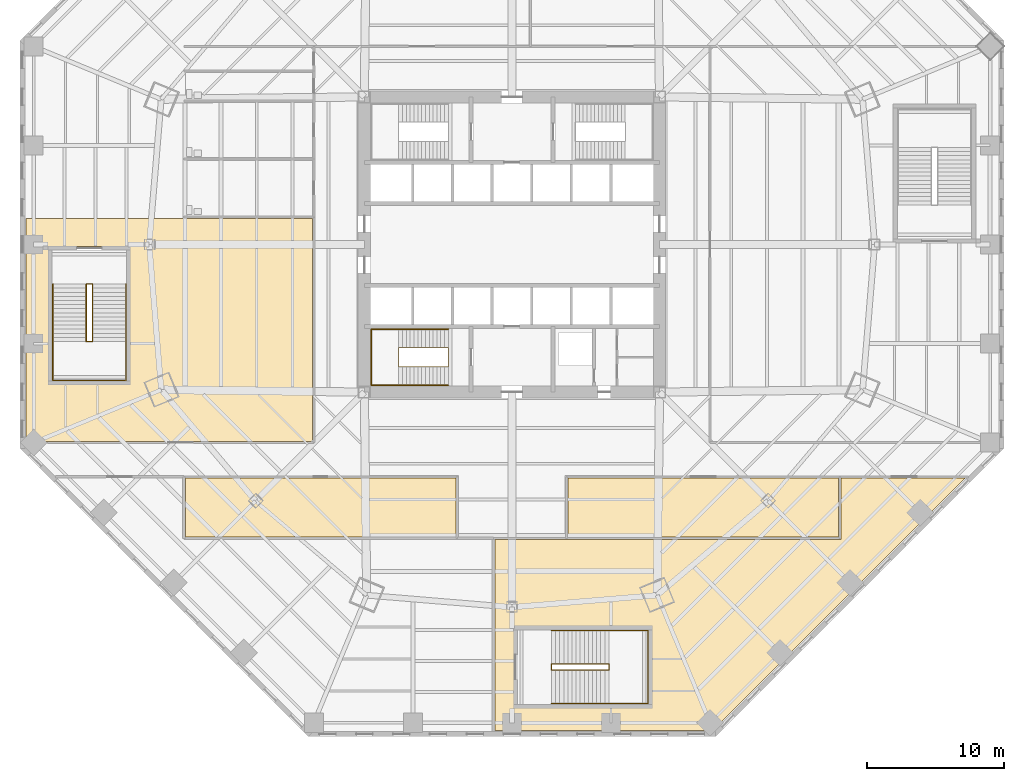
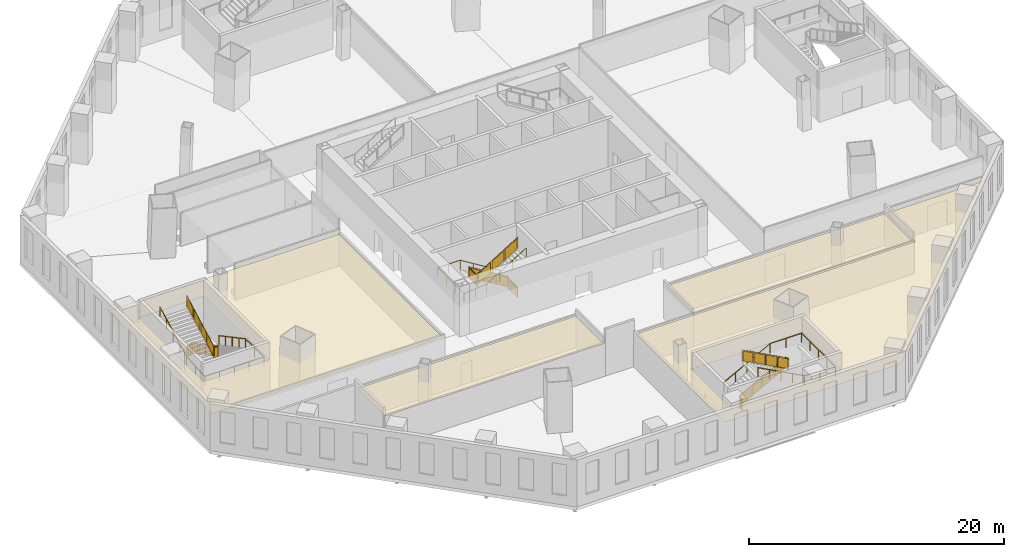
# One storey, part 16 of 19: 6 railings, 4 coverings.
"""IFC4 building model written with IfcOpenShell, lengths in metres."""

from ifc_helpers import new_model, si_unit, direction, frame, origin, origin_2d, place, context, subcontext, project, spatial, polyline, circle, outline, extrude, material, layer, layer_set, type_object, element, save


model = new_model("IFC4")

# Units and contexts
model_context = context("Model", 3, precision=1e-05, world=origin(), true_north=direction((0.0, 1.0)))
body_context = subcontext(model_context, "Body", "Model", "MODEL_VIEW")
ifc_project = project(units=[si_unit("LENGTHUNIT", "METRE"), si_unit("AREAUNIT", "SQUARE_METRE"), si_unit("VOLUMEUNIT", "CUBIC_METRE"), si_unit("PLANEANGLEUNIT", "RADIAN"), si_unit("MASSUNIT", "GRAM", prefix="KILO")], contexts=[model_context])

# Site, building, storey
site_placement = place(None, origin())
site = spatial("IfcSite", under=ifc_project, at=site_placement, CompositionType="ELEMENT")
building_placement = place(site_placement, origin())
building = spatial("IfcBuilding", under=site, at=building_placement, Name="Mashrafa Tower", CompositionType="ELEMENT")
storey_placement = place(building_placement, frame((0.0, 0.0, 24.0)))
storey = spatial("IfcBuildingStorey", under=building, at=storey_placement, Name="L04", CompositionType="ELEMENT", Elevation=24.0)

# Railings
ifc_material_1 = material(Name="Steel guard with glass infill", Category="steel")
railing_type_1 = type_object("IfcRailingType", Name="Stair guard 1100", PredefinedType="GUARDRAIL", material=ifc_material_1)
railing_1_placement = place(storey_placement, frame((-4.64990234375, -8.949951171875, 0.0)))
element("IfcRailing", 1, at=railing_1_placement, inside=storey, type_object=railing_type_1, Name="Stair S3 guard L04", PredefinedType="GUARDRAIL", context=body_context, shape_type="SweptSolid", body=[
    extrude(circle(Radius=0.02392578125, at=origin_2d()), frame((0.0, 0.0, 1.076171875), z_axis=(0.0, 1.0, 0.0), x_axis=(-1.0, 0.0, 0.0)), (0.0, 0.0, 1.0), 1.39990234375),
    extrude(circle(Radius=0.02392578125, at=origin_2d()), frame((0.0, 1.39990234375, 1.076171875), z_axis=(0.0, 0.0, 1.0), x_axis=(1.0, 0.0, 0.0)), (0.0, 0.0, 1.0), 0.17138671875),
    extrude(circle(Radius=0.02392578125, at=origin_2d()), frame((0.0, 1.39990234375, 1.24755859375), z_axis=(-0.852865859571, 0.0, 0.52213008492), x_axis=(0.0, -1.0, 0.0)), (0.0, 0.0, 1.0), 4.26806640625),
    extrude(circle(Radius=0.02392578125, at=origin_2d()), frame((-3.64013671875, 1.39990234375, 3.47607421875), z_axis=(0.0, -1.0, 0.0), x_axis=(1.0, 0.0, 0.0)), (0.0, 0.0, 1.0), 1.39990234375),
    extrude(circle(Radius=0.02392578125, at=origin_2d()), frame((-3.64013671875, 0.0, 3.47607421875), z_axis=(0.0, 0.0, 1.0), x_axis=(1.0, 0.0, 0.0)), (0.0, 0.0, 1.0), 0.17138671875),
    extrude(circle(Radius=0.02392578125, at=origin_2d()), frame((-3.64013671875, 0.0, 3.6474609375), z_axis=(0.852840387347, 0.0, 0.522171689878), x_axis=(0.0, 1.0, 0.0)), (0.0, 0.0, 1.0), 4.268310546875),
    extrude(circle(Radius=0.02099609375, at=origin_2d()), origin(), (0.0, 0.0, 1.0), 1.052001953125),
    extrude(circle(Radius=0.02099609375, at=origin_2d()), frame((0.0, 1.39990234375, 0.0)), (0.0, 0.0, 1.0), 1.052001953125),
    extrude(circle(Radius=0.02099609375, at=origin_2d()), frame((0.0, 1.39990234375, 0.17138671875)), (0.0, 0.0, 1.0), 1.052001953125),
    extrude(circle(Radius=0.02099609375, at=origin_2d()), frame((-1.21337890625, 1.39990234375, 0.914306640625)), (0.0, 0.0, 1.0), 1.052001953125),
    extrude(circle(Radius=0.02099609375, at=origin_2d()), frame((-2.4267578125, 1.39990234375, 1.656982421875)), (0.0, 0.0, 1.0), 1.052001953125),
    extrude(circle(Radius=0.02099609375, at=origin_2d()), frame((-3.64013671875, 1.39990234375, 2.39990234375)), (0.0, 0.0, 1.0), 1.052001953125),
    extrude(circle(Radius=0.02099609375, at=origin_2d()), frame((-3.64013671875, 0.0, 2.39990234375)), (0.0, 0.0, 1.0), 1.052001953125),
    extrude(circle(Radius=0.02099609375, at=origin_2d()), frame((-3.64013671875, 0.0, 2.5712890625)), (0.0, 0.0, 1.0), 1.052001953125),
    extrude(circle(Radius=0.02099609375, at=origin_2d()), frame((-2.4267578125, 0.0, 3.314208984375)), (0.0, 0.0, 1.0), 1.052001953125),
    extrude(circle(Radius=0.02099609375, at=origin_2d()), frame((-1.21337890625, 0.0, 4.05712890625)), (0.0, 0.0, 1.0), 1.052001953125),
    extrude(circle(Radius=0.02099609375, at=origin_2d()), frame((0.0, 0.0, 4.800048828125)), (0.0, 0.0, 1.0), 1.052001953125),
    extrude(outline(polyline([(0.071044921875, 0.050048828125), (1.328857421875, 0.050048828125), (1.328857421875, 1.001953125), (0.071044921875, 1.001953125), (0.071044921875, 0.050048828125)])), frame((0.006103515625, 0.0, 0.0), z_axis=(1.0, 0.0, 0.0), x_axis=(0.0, 1.0, 0.0)), (0.0, 0.0, 1.0), 0.011962890625),
    extrude(outline(polyline([(0.071044921875, 0.093505859375), (1.142333984375, 0.749267578125), (1.142333984375, 1.701416015625), (0.071044921875, 1.04541015625), (0.071044921875, 0.093505859375)])), frame((0.0, 1.406005859375, 0.17138671875), z_axis=(0.0, 1.0, 0.0), x_axis=(-1.0, 0.0, 0.0)), (0.0, 0.0, 1.0), 0.011962890625),
    extrude(outline(polyline([(1.284423828125, 0.836181640625), (2.355712890625, 1.4921875), (2.355712890625, 2.4443359375), (1.284423828125, 1.788330078125), (1.284423828125, 0.836181640625)])), frame((0.0, 1.406005859375, 0.17138671875), z_axis=(0.0, 1.0, 0.0), x_axis=(-1.0, 0.0, 0.0)), (0.0, 0.0, 1.0), 0.011962890625),
    extrude(outline(polyline([(2.497802734375, 1.5791015625), (3.569091796875, 2.235107421875), (3.569091796875, 3.18701171875), (2.497802734375, 2.53125), (2.497802734375, 1.5791015625)])), frame((0.0, 1.406005859375, 0.17138671875), z_axis=(0.0, 1.0, 0.0), x_axis=(-1.0, 0.0, 0.0)), (0.0, 0.0, 1.0), 0.011962890625),
    extrude(outline(polyline([(0.071044921875, 0.050048828125), (1.328857421875, 0.050048828125), (1.328857421875, 1.001953125), (0.071044921875, 1.001953125), (0.071044921875, 0.050048828125)])), frame((-3.646240234375, 1.39990234375, 2.39990234375), z_axis=(-1.0, 0.0, 0.0), x_axis=(0.0, -1.0, 0.0)), (0.0, 0.0, 1.0), 0.011962890625),
    extrude(outline(polyline([(0.071044921875, 0.093505859375), (1.142333984375, 0.74951171875), (1.142333984375, 1.701416015625), (0.071044921875, 1.04541015625), (0.071044921875, 0.093505859375)])), frame((-3.64013671875, -0.006103515625, 2.5712890625), z_axis=(0.0, -1.0, 0.0), x_axis=(1.0, 0.0, 0.0)), (0.0, 0.0, 1.0), 0.011962890625),
    extrude(outline(polyline([(1.284423828125, 0.83642578125), (2.355712890625, 1.492431640625), (2.355712890625, 2.4443359375), (1.284423828125, 1.788330078125), (1.284423828125, 0.83642578125)])), frame((-3.64013671875, -0.006103515625, 2.5712890625), z_axis=(0.0, -1.0, 0.0), x_axis=(1.0, 0.0, 0.0)), (0.0, 0.0, 1.0), 0.011962890625),
    extrude(outline(polyline([(2.497802734375, 1.579345703125), (3.569091796875, 2.2353515625), (3.569091796875, 3.187255859375), (2.497802734375, 2.53125), (2.497802734375, 1.579345703125)])), frame((-3.64013671875, -0.006103515625, 2.5712890625), z_axis=(0.0, -1.0, 0.0), x_axis=(1.0, 0.0, 0.0)), (0.0, 0.0, 1.0), 0.011962890625),
])
railing_2_placement = place(storey_placement, frame((-31.14990234375, -2.89990234375, 0.0)))
element("IfcRailing", 2, at=railing_2_placement, inside=storey, type_object=railing_type_1, Name="Stair P3 guard L04", PredefinedType="GUARDRAIL", context=body_context, shape_type="SweptSolid", body=[
    extrude(circle(Radius=0.02392578125, at=origin_2d()), frame((0.0, 0.0, 1.076171875), z_axis=(1.0, 0.0, 0.0), x_axis=(0.0, 1.0, 0.0)), (0.0, 0.0, 1.0), 0.449951171875),
    extrude(circle(Radius=0.02392578125, at=origin_2d()), frame((0.449951171875, 0.0, 1.076171875), z_axis=(0.0, 0.0, 1.0), x_axis=(1.0, 0.0, 0.0)), (0.0, 0.0, 1.0), 0.159912109375),
    extrude(circle(Radius=0.02392578125, at=origin_2d()), frame((0.449951171875, 0.0, 1.23583984375), z_axis=(0.0, -0.882362879185, 0.470569601054), x_axis=(1.0, 0.0, 0.0)), (0.0, 0.0, 1.0), 4.76025390625),
    extrude(circle(Radius=0.02392578125, at=origin_2d()), frame((0.449951171875, -4.2001953125, 3.47607421875), z_axis=(-1.0, 0.0, 0.0), x_axis=(0.0, -1.0, 0.0)), (0.0, 0.0, 1.0), 0.449951171875),
    extrude(circle(Radius=0.02392578125, at=origin_2d()), frame((0.0, -4.2001953125, 3.47607421875), z_axis=(0.0, 0.0, 1.0), x_axis=(1.0, 0.0, 0.0)), (0.0, 0.0, 1.0), 0.16015625),
    extrude(circle(Radius=0.02392578125, at=origin_2d()), frame((0.0, -4.2001953125, 3.63623046875), z_axis=(0.0, 0.882362879185, 0.470569601054), x_axis=(-1.0, 0.0, 0.0)), (0.0, 0.0, 1.0), 4.76025390625),
    extrude(circle(Radius=0.02099609375, at=origin_2d()), origin(), (0.0, 0.0, 1.0), 1.052001953125),
    extrude(circle(Radius=0.02099609375, at=origin_2d()), frame((0.449951171875, 0.0, 0.0)), (0.0, 0.0, 1.0), 1.052001953125),
    extrude(circle(Radius=0.02099609375, at=origin_2d()), frame((0.449951171875, 0.0, 0.159912109375)), (0.0, 0.0, 1.0), 1.052001953125),
    extrude(circle(Radius=0.02099609375, at=origin_2d()), frame((0.449951171875, -1.050048828125, 0.719970703125)), (0.0, 0.0, 1.0), 1.052001953125),
    extrude(circle(Radius=0.02099609375, at=origin_2d()), frame((0.449951171875, -2.10009765625, 1.27978515625)), (0.0, 0.0, 1.0), 1.052001953125),
    extrude(circle(Radius=0.02099609375, at=origin_2d()), frame((0.449951171875, -3.150146484375, 1.83984375)), (0.0, 0.0, 1.0), 1.052001953125),
    extrude(circle(Radius=0.02099609375, at=origin_2d()), frame((0.449951171875, -4.2001953125, 2.39990234375)), (0.0, 0.0, 1.0), 1.052001953125),
    extrude(circle(Radius=0.02099609375, at=origin_2d()), frame((0.0, -4.2001953125, 2.39990234375)), (0.0, 0.0, 1.0), 1.052001953125),
    extrude(circle(Radius=0.02099609375, at=origin_2d()), frame((0.0, -4.2001953125, 2.56005859375)), (0.0, 0.0, 1.0), 1.052001953125),
    extrude(circle(Radius=0.02099609375, at=origin_2d()), frame((0.0, -3.150146484375, 3.1201171875)), (0.0, 0.0, 1.0), 1.052001953125),
    extrude(circle(Radius=0.02099609375, at=origin_2d()), frame((0.0, -2.10009765625, 3.68017578125)), (0.0, 0.0, 1.0), 1.052001953125),
    extrude(circle(Radius=0.02099609375, at=origin_2d()), frame((0.0, -1.050048828125, 4.239990234375)), (0.0, 0.0, 1.0), 1.052001953125),
    extrude(circle(Radius=0.02099609375, at=origin_2d()), frame((0.0, 0.0, 4.800048828125)), (0.0, 0.0, 1.0), 1.052001953125),
    extrude(outline(polyline([(0.071044921875, 0.050048828125), (0.37890625, 0.050048828125), (0.37890625, 1.001953125), (0.071044921875, 1.001953125), (0.071044921875, 0.050048828125)])), frame((0.0, -0.006103515625, 0.0), z_axis=(0.0, -1.0, 0.0), x_axis=(1.0, 0.0, 0.0)), (0.0, 0.0, 1.0), 0.011962890625),
    extrude(outline(polyline([(0.071044921875, 0.087890625), (0.97900390625, 0.572021484375), (0.97900390625, 1.524169921875), (0.071044921875, 1.039794921875), (0.071044921875, 0.087890625)])), frame((0.44384765625, 0.0, 0.159912109375), z_axis=(-1.0, 0.0, 0.0), x_axis=(0.0, -1.0, 0.0)), (0.0, 0.0, 1.0), 0.011962890625),
    extrude(outline(polyline([(1.12109375, 0.64794921875), (2.029052734375, 1.132080078125), (2.029052734375, 2.084228515625), (1.12109375, 1.599853515625), (1.12109375, 0.64794921875)])), frame((0.44384765625, 0.0, 0.159912109375), z_axis=(-1.0, 0.0, 0.0), x_axis=(0.0, -1.0, 0.0)), (0.0, 0.0, 1.0), 0.011962890625),
    extrude(outline(polyline([(2.171142578125, 1.207763671875), (3.0791015625, 1.692138671875), (3.0791015625, 2.64404296875), (2.171142578125, 2.159912109375), (2.171142578125, 1.207763671875)])), frame((0.44384765625, 0.0, 0.159912109375), z_axis=(-1.0, 0.0, 0.0), x_axis=(0.0, -1.0, 0.0)), (0.0, 0.0, 1.0), 0.011962890625),
    extrude(outline(polyline([(3.22119140625, 1.767822265625), (4.129150390625, 2.252197265625), (4.129150390625, 3.2041015625), (3.22119140625, 2.719970703125), (3.22119140625, 1.767822265625)])), frame((0.44384765625, 0.0, 0.159912109375), z_axis=(-1.0, 0.0, 0.0), x_axis=(0.0, -1.0, 0.0)), (0.0, 0.0, 1.0), 0.011962890625),
    extrude(outline(polyline([(0.071044921875, 0.050048828125), (0.37890625, 0.050048828125), (0.37890625, 1.001953125), (0.071044921875, 1.001953125), (0.071044921875, 0.050048828125)])), frame((0.449951171875, -4.194091796875, 2.39990234375), z_axis=(0.0, 1.0, 0.0), x_axis=(-1.0, 0.0, 0.0)), (0.0, 0.0, 1.0), 0.011962890625),
    extrude(outline(polyline([(0.071044921875, 0.087890625), (0.97900390625, 0.572021484375), (0.97900390625, 1.524169921875), (0.071044921875, 1.039794921875), (0.071044921875, 0.087890625)])), frame((0.006103515625, -4.2001953125, 2.56005859375), z_axis=(1.0, 0.0, 0.0), x_axis=(0.0, 1.0, 0.0)), (0.0, 0.0, 1.0), 0.011962890625),
    extrude(outline(polyline([(1.12109375, 0.64794921875), (2.029052734375, 1.132080078125), (2.029052734375, 2.084228515625), (1.12109375, 1.599853515625), (1.12109375, 0.64794921875)])), frame((0.006103515625, -4.2001953125, 2.56005859375), z_axis=(1.0, 0.0, 0.0), x_axis=(0.0, 1.0, 0.0)), (0.0, 0.0, 1.0), 0.011962890625),
    extrude(outline(polyline([(2.171142578125, 1.207763671875), (3.0791015625, 1.692138671875), (3.0791015625, 2.64404296875), (2.171142578125, 2.159912109375), (2.171142578125, 1.207763671875)])), frame((0.006103515625, -4.2001953125, 2.56005859375), z_axis=(1.0, 0.0, 0.0), x_axis=(0.0, 1.0, 0.0)), (0.0, 0.0, 1.0), 0.011962890625),
    extrude(outline(polyline([(3.22119140625, 1.767822265625), (4.129150390625, 2.252197265625), (4.129150390625, 3.2041015625), (3.22119140625, 2.719970703125), (3.22119140625, 1.767822265625)])), frame((0.006103515625, -4.2001953125, 2.56005859375), z_axis=(1.0, 0.0, 0.0), x_axis=(0.0, 1.0, 0.0)), (0.0, 0.0, 1.0), 0.011962890625),
])
railing_3_placement = place(storey_placement, frame((2.89990234375, -31.14990234375, 0.0)))
element("IfcRailing", 3, at=railing_3_placement, inside=storey, type_object=railing_type_1, Name="Stair P4 guard L04", PredefinedType="GUARDRAIL", context=body_context, shape_type="SweptSolid", body=[
    extrude(circle(Radius=0.02392578125, at=origin_2d()), frame((0.0, 0.0, 1.076171875), z_axis=(0.0, 1.0, 0.0), x_axis=(-1.0, 0.0, 0.0)), (0.0, 0.0, 1.0), 0.449951171875),
    extrude(circle(Radius=0.02392578125, at=origin_2d()), frame((0.0, 0.449951171875, 1.076171875), z_axis=(0.0, 0.0, 1.0), x_axis=(1.0, 0.0, 0.0)), (0.0, 0.0, 1.0), 0.159912109375),
    extrude(circle(Radius=0.02392578125, at=origin_2d()), frame((0.0, 0.449951171875, 1.23583984375), z_axis=(0.882362879185, 0.0, 0.470569601054), x_axis=(0.0, 1.0, 0.0)), (0.0, 0.0, 1.0), 4.76025390625),
    extrude(circle(Radius=0.02392578125, at=origin_2d()), frame((4.2001953125, 0.449951171875, 3.47607421875), z_axis=(0.0, -1.0, 0.0), x_axis=(1.0, 0.0, 0.0)), (0.0, 0.0, 1.0), 0.449951171875),
    extrude(circle(Radius=0.02392578125, at=origin_2d()), frame((4.2001953125, 0.0, 3.47607421875), z_axis=(0.0, 0.0, 1.0), x_axis=(1.0, 0.0, 0.0)), (0.0, 0.0, 1.0), 0.16015625),
    extrude(circle(Radius=0.02392578125, at=origin_2d()), frame((4.2001953125, 0.0, 3.63623046875), z_axis=(-0.882362879185, 0.0, 0.470569601054), x_axis=(0.0, -1.0, 0.0)), (0.0, 0.0, 1.0), 4.76025390625),
    extrude(circle(Radius=0.02099609375, at=origin_2d()), origin(), (0.0, 0.0, 1.0), 1.052001953125),
    extrude(circle(Radius=0.02099609375, at=origin_2d()), frame((0.0, 0.449951171875, 0.0)), (0.0, 0.0, 1.0), 1.052001953125),
    extrude(circle(Radius=0.02099609375, at=origin_2d()), frame((0.0, 0.449951171875, 0.159912109375)), (0.0, 0.0, 1.0), 1.052001953125),
    extrude(circle(Radius=0.02099609375, at=origin_2d()), frame((1.050048828125, 0.449951171875, 0.719970703125)), (0.0, 0.0, 1.0), 1.052001953125),
    extrude(circle(Radius=0.02099609375, at=origin_2d()), frame((2.10009765625, 0.449951171875, 1.27978515625)), (0.0, 0.0, 1.0), 1.052001953125),
    extrude(circle(Radius=0.02099609375, at=origin_2d()), frame((3.150146484375, 0.449951171875, 1.83984375)), (0.0, 0.0, 1.0), 1.052001953125),
    extrude(circle(Radius=0.02099609375, at=origin_2d()), frame((4.2001953125, 0.449951171875, 2.39990234375)), (0.0, 0.0, 1.0), 1.052001953125),
    extrude(circle(Radius=0.02099609375, at=origin_2d()), frame((4.2001953125, 0.0, 2.39990234375)), (0.0, 0.0, 1.0), 1.052001953125),
    extrude(circle(Radius=0.02099609375, at=origin_2d()), frame((4.2001953125, 0.0, 2.56005859375)), (0.0, 0.0, 1.0), 1.052001953125),
    extrude(circle(Radius=0.02099609375, at=origin_2d()), frame((3.150146484375, 0.0, 3.1201171875)), (0.0, 0.0, 1.0), 1.052001953125),
    extrude(circle(Radius=0.02099609375, at=origin_2d()), frame((2.10009765625, 0.0, 3.68017578125)), (0.0, 0.0, 1.0), 1.052001953125),
    extrude(circle(Radius=0.02099609375, at=origin_2d()), frame((1.050048828125, 0.0, 4.239990234375)), (0.0, 0.0, 1.0), 1.052001953125),
    extrude(circle(Radius=0.02099609375, at=origin_2d()), frame((0.0, 0.0, 4.800048828125)), (0.0, 0.0, 1.0), 1.052001953125),
    extrude(outline(polyline([(0.071044921875, 0.050048828125), (0.37890625, 0.050048828125), (0.37890625, 1.001953125), (0.071044921875, 1.001953125), (0.071044921875, 0.050048828125)])), frame((0.006103515625, 0.0, 0.0), z_axis=(1.0, 0.0, 0.0), x_axis=(0.0, 1.0, 0.0)), (0.0, 0.0, 1.0), 0.011962890625),
    extrude(outline(polyline([(0.071044921875, 0.087890625), (0.97900390625, 0.572021484375), (0.97900390625, 1.524169921875), (0.071044921875, 1.039794921875), (0.071044921875, 0.087890625)])), frame((0.0, 0.44384765625, 0.159912109375), z_axis=(0.0, -1.0, 0.0), x_axis=(1.0, 0.0, 0.0)), (0.0, 0.0, 1.0), 0.011962890625),
    extrude(outline(polyline([(1.12109375, 0.64794921875), (2.029052734375, 1.132080078125), (2.029052734375, 2.084228515625), (1.12109375, 1.599853515625), (1.12109375, 0.64794921875)])), frame((0.0, 0.44384765625, 0.159912109375), z_axis=(0.0, -1.0, 0.0), x_axis=(1.0, 0.0, 0.0)), (0.0, 0.0, 1.0), 0.011962890625),
    extrude(outline(polyline([(2.171142578125, 1.207763671875), (3.0791015625, 1.692138671875), (3.0791015625, 2.64404296875), (2.171142578125, 2.159912109375), (2.171142578125, 1.207763671875)])), frame((0.0, 0.44384765625, 0.159912109375), z_axis=(0.0, -1.0, 0.0), x_axis=(1.0, 0.0, 0.0)), (0.0, 0.0, 1.0), 0.011962890625),
    extrude(outline(polyline([(3.22119140625, 1.767822265625), (4.129150390625, 2.252197265625), (4.129150390625, 3.2041015625), (3.22119140625, 2.719970703125), (3.22119140625, 1.767822265625)])), frame((0.0, 0.44384765625, 0.159912109375), z_axis=(0.0, -1.0, 0.0), x_axis=(1.0, 0.0, 0.0)), (0.0, 0.0, 1.0), 0.011962890625),
    extrude(outline(polyline([(0.071044921875, 0.050048828125), (0.37890625, 0.050048828125), (0.37890625, 1.001953125), (0.071044921875, 1.001953125), (0.071044921875, 0.050048828125)])), frame((4.194091796875, 0.449951171875, 2.39990234375), z_axis=(-1.0, 0.0, 0.0), x_axis=(0.0, -1.0, 0.0)), (0.0, 0.0, 1.0), 0.011962890625),
    extrude(outline(polyline([(0.071044921875, 0.087890625), (0.97900390625, 0.572021484375), (0.97900390625, 1.524169921875), (0.071044921875, 1.039794921875), (0.071044921875, 0.087890625)])), frame((4.2001953125, 0.006103515625, 2.56005859375), z_axis=(0.0, 1.0, 0.0), x_axis=(-1.0, 0.0, 0.0)), (0.0, 0.0, 1.0), 0.011962890625),
    extrude(outline(polyline([(1.12109375, 0.64794921875), (2.029052734375, 1.132080078125), (2.029052734375, 2.084228515625), (1.12109375, 1.599853515625), (1.12109375, 0.64794921875)])), frame((4.2001953125, 0.006103515625, 2.56005859375), z_axis=(0.0, 1.0, 0.0), x_axis=(-1.0, 0.0, 0.0)), (0.0, 0.0, 1.0), 0.011962890625),
    extrude(outline(polyline([(2.171142578125, 1.207763671875), (3.0791015625, 1.692138671875), (3.0791015625, 2.64404296875), (2.171142578125, 2.159912109375), (2.171142578125, 1.207763671875)])), frame((4.2001953125, 0.006103515625, 2.56005859375), z_axis=(0.0, 1.0, 0.0), x_axis=(-1.0, 0.0, 0.0)), (0.0, 0.0, 1.0), 0.011962890625),
    extrude(outline(polyline([(3.22119140625, 1.767822265625), (4.129150390625, 2.252197265625), (4.129150390625, 3.2041015625), (3.22119140625, 2.719970703125), (3.22119140625, 1.767822265625)])), frame((4.2001953125, 0.006103515625, 2.56005859375), z_axis=(0.0, 1.0, 0.0), x_axis=(-1.0, 0.0, 0.0)), (0.0, 0.0, 1.0), 0.011962890625),
])
ifc_material_2 = material(Name="Steel", Category="steel")
railing_type_2 = type_object("IfcRailingType", Name="Stair handrail 900", PredefinedType="HANDRAIL", material=ifc_material_2)
railing_4_placement = place(storey_placement, frame((-4.64990234375, -6.199951171875, 0.17138671875)))
element("IfcRailing", 4, at=railing_4_placement, inside=storey, type_object=railing_type_2, Name="Stair S3 handrail L04", PredefinedType="HANDRAIL", context=body_context, shape_type="SweptSolid", body=[
    extrude(circle(Radius=0.02392578125, at=origin_2d()), frame((0.0, 0.0, 0.8759765625), z_axis=(-0.852865859571, 0.0, 0.52213008492), x_axis=(0.0, -1.0, 0.0)), (0.0, 0.0, 1.0), 4.26806640625),
    extrude(circle(Radius=0.02392578125, at=origin_2d()), frame((-3.64013671875, 0.0, 3.1044921875), z_axis=(-1.0, 0.0, 0.0), x_axis=(0.0, -1.0, 0.0)), (0.0, 0.0, 1.0), 2.010009765625),
    extrude(circle(Radius=0.02392578125, at=origin_2d()), frame((-5.650146484375, 0.0, 3.1044921875), z_axis=(0.0, -1.0, 0.0), x_axis=(1.0, 0.0, 0.0)), (0.0, 0.0, 1.0), 4.10009765625),
    extrude(circle(Radius=0.02392578125, at=origin_2d()), frame((-5.650146484375, -4.10009765625, 3.1044921875), z_axis=(0.996384505265, 0.0, 0.084958329005), x_axis=(0.0, 1.0, 0.0)), (0.0, 0.0, 1.0), 2.017333984375),
    extrude(circle(Radius=0.02392578125, at=origin_2d()), frame((-3.64013671875, -4.10009765625, 3.27587890625), z_axis=(0.852840387347, 0.0, 0.522171689878), x_axis=(0.0, 1.0, 0.0)), (0.0, 0.0, 1.0), 4.268310546875),
    extrude(circle(Radius=0.02099609375, at=origin_2d()), origin(), (0.0, 0.0, 1.0), 0.851806640625),
    extrude(circle(Radius=0.02099609375, at=origin_2d()), frame((-1.21337890625, 0.0, 0.742919921875)), (0.0, 0.0, 1.0), 0.851806640625),
    extrude(circle(Radius=0.02099609375, at=origin_2d()), frame((-2.4267578125, 0.0, 1.485595703125)), (0.0, 0.0, 1.0), 0.851806640625),
    extrude(circle(Radius=0.02099609375, at=origin_2d()), frame((-3.64013671875, 0.0, 2.228515625)), (0.0, 0.0, 1.0), 0.851806640625),
    extrude(circle(Radius=0.02099609375, at=origin_2d()), frame((-4.64501953125, 0.0, 2.228515625)), (0.0, 0.0, 1.0), 0.851806640625),
    extrude(circle(Radius=0.02099609375, at=origin_2d()), frame((-5.650146484375, 0.0, 2.228515625)), (0.0, 0.0, 1.0), 0.851806640625),
    extrude(circle(Radius=0.02099609375, at=origin_2d()), frame((-5.650146484375, -1.36669921875, 2.228515625)), (0.0, 0.0, 1.0), 0.851806640625),
    extrude(circle(Radius=0.02099609375, at=origin_2d()), frame((-5.650146484375, -2.7333984375, 2.228515625)), (0.0, 0.0, 1.0), 0.851806640625),
    extrude(circle(Radius=0.02099609375, at=origin_2d()), frame((-5.650146484375, -4.10009765625, 2.228515625)), (0.0, 0.0, 1.0), 0.851806640625),
    extrude(circle(Radius=0.02099609375, at=origin_2d()), frame((-4.64501953125, -4.10009765625, 2.314208984375)), (0.0, 0.0, 1.0), 0.851806640625),
    extrude(circle(Radius=0.02099609375, at=origin_2d()), frame((-3.64013671875, -4.10009765625, 2.39990234375)), (0.0, 0.0, 1.0), 0.851806640625),
    extrude(circle(Radius=0.02099609375, at=origin_2d()), frame((-2.4267578125, -4.10009765625, 3.142822265625)), (0.0, 0.0, 1.0), 0.851806640625),
    extrude(circle(Radius=0.02099609375, at=origin_2d()), frame((-1.21337890625, -4.10009765625, 3.8857421875)), (0.0, 0.0, 1.0), 0.851806640625),
    extrude(circle(Radius=0.02099609375, at=origin_2d()), frame((0.0, -4.10009765625, 4.628662109375)), (0.0, 0.0, 1.0), 0.851806640625),
])
railing_5_placement = place(storey_placement, frame((-28.25, -2.89990234375, 0.159912109375)))
element("IfcRailing", 5, at=railing_5_placement, inside=storey, type_object=railing_type_2, Name="Stair P3 handrail L04", PredefinedType="HANDRAIL", context=body_context, shape_type="SweptSolid", body=[
    extrude(circle(Radius=0.02392578125, at=origin_2d()), frame((0.0, 0.0, 0.8759765625), z_axis=(0.0, -0.882362879185, 0.470569601054), x_axis=(1.0, 0.0, 0.0)), (0.0, 0.0, 1.0), 4.76025390625),
    extrude(circle(Radius=0.02392578125, at=origin_2d()), frame((0.0, -4.2001953125, 3.11572265625), z_axis=(0.0, -1.0, 0.0), x_axis=(1.0, 0.0, 0.0)), (0.0, 0.0, 1.0), 2.849853515625),
    extrude(circle(Radius=0.02392578125, at=origin_2d()), frame((0.0, -7.050048828125, 3.11572265625), z_axis=(-1.0, 0.0, 0.0), x_axis=(0.0, -1.0, 0.0)), (0.0, 0.0, 1.0), 5.35009765625),
    extrude(circle(Radius=0.02392578125, at=origin_2d()), frame((-5.35009765625, -7.050048828125, 3.11572265625), z_axis=(0.0, 0.998424619378, 0.056109530567), x_axis=(-1.0, 0.0, 0.0)), (0.0, 0.0, 1.0), 2.854248046875),
    extrude(circle(Radius=0.02392578125, at=origin_2d()), frame((-5.35009765625, -4.2001953125, 3.27587890625), z_axis=(0.0, 0.882362879185, 0.470569601054), x_axis=(-1.0, 0.0, 0.0)), (0.0, 0.0, 1.0), 4.76025390625),
    extrude(circle(Radius=0.02099609375, at=origin_2d()), origin(), (0.0, 0.0, 1.0), 0.851806640625),
    extrude(circle(Radius=0.02099609375, at=origin_2d()), frame((0.0, -1.050048828125, 0.56005859375)), (0.0, 0.0, 1.0), 0.851806640625),
    extrude(circle(Radius=0.02099609375, at=origin_2d()), frame((0.0, -2.10009765625, 1.1201171875)), (0.0, 0.0, 1.0), 0.851806640625),
    extrude(circle(Radius=0.02099609375, at=origin_2d()), frame((0.0, -3.150146484375, 1.679931640625)), (0.0, 0.0, 1.0), 0.851806640625),
    extrude(circle(Radius=0.02099609375, at=origin_2d()), frame((0.0, -4.2001953125, 2.239990234375)), (0.0, 0.0, 1.0), 0.851806640625),
    extrude(circle(Radius=0.02099609375, at=origin_2d()), frame((0.0, -5.625, 2.239990234375)), (0.0, 0.0, 1.0), 0.851806640625),
    extrude(circle(Radius=0.02099609375, at=origin_2d()), frame((0.0, -7.050048828125, 2.239990234375)), (0.0, 0.0, 1.0), 0.851806640625),
    extrude(circle(Radius=0.02099609375, at=origin_2d()), frame((-1.33740234375, -7.050048828125, 2.239990234375)), (0.0, 0.0, 1.0), 0.851806640625),
    extrude(circle(Radius=0.02099609375, at=origin_2d()), frame((-2.675048828125, -7.050048828125, 2.239990234375)), (0.0, 0.0, 1.0), 0.851806640625),
    extrude(circle(Radius=0.02099609375, at=origin_2d()), frame((-4.0126953125, -7.050048828125, 2.239990234375)), (0.0, 0.0, 1.0), 0.851806640625),
    extrude(circle(Radius=0.02099609375, at=origin_2d()), frame((-5.35009765625, -7.050048828125, 2.239990234375)), (0.0, 0.0, 1.0), 0.851806640625),
    extrude(circle(Radius=0.02099609375, at=origin_2d()), frame((-5.35009765625, -5.625, 2.320068359375)), (0.0, 0.0, 1.0), 0.851806640625),
    extrude(circle(Radius=0.02099609375, at=origin_2d()), frame((-5.35009765625, -4.2001953125, 2.400146484375)), (0.0, 0.0, 1.0), 0.851806640625),
    extrude(circle(Radius=0.02099609375, at=origin_2d()), frame((-5.35009765625, -3.150146484375, 2.960205078125)), (0.0, 0.0, 1.0), 0.851806640625),
    extrude(circle(Radius=0.02099609375, at=origin_2d()), frame((-5.35009765625, -2.10009765625, 3.52001953125)), (0.0, 0.0, 1.0), 0.851806640625),
    extrude(circle(Radius=0.02099609375, at=origin_2d()), frame((-5.35009765625, -1.050048828125, 4.080078125)), (0.0, 0.0, 1.0), 0.851806640625),
    extrude(circle(Radius=0.02099609375, at=origin_2d()), frame((-5.35009765625, 0.0, 4.64013671875)), (0.0, 0.0, 1.0), 0.851806640625),
])
railing_6_placement = place(storey_placement, frame((2.89990234375, -28.25, 0.159912109375)))
element("IfcRailing", 6, at=railing_6_placement, inside=storey, type_object=railing_type_2, Name="Stair P4 handrail L04", PredefinedType="HANDRAIL", context=body_context, shape_type="SweptSolid", body=[
    extrude(circle(Radius=0.02392578125, at=origin_2d()), frame((0.0, 0.0, 0.8759765625), z_axis=(0.882362879185, 0.0, 0.470569601054), x_axis=(0.0, 1.0, 0.0)), (0.0, 0.0, 1.0), 4.76025390625),
    extrude(circle(Radius=0.02392578125, at=origin_2d()), frame((4.2001953125, 0.0, 3.11572265625), z_axis=(1.0, 0.0, 0.0), x_axis=(0.0, 1.0, 0.0)), (0.0, 0.0, 1.0), 2.849853515625),
    extrude(circle(Radius=0.02392578125, at=origin_2d()), frame((7.050048828125, 0.0, 3.11572265625), z_axis=(0.0, -1.0, 0.0), x_axis=(1.0, 0.0, 0.0)), (0.0, 0.0, 1.0), 5.35009765625),
    extrude(circle(Radius=0.02392578125, at=origin_2d()), frame((7.050048828125, -5.35009765625, 3.11572265625), z_axis=(-0.998424619378, 0.0, 0.056109530567), x_axis=(0.0, -1.0, 0.0)), (0.0, 0.0, 1.0), 2.854248046875),
    extrude(circle(Radius=0.02392578125, at=origin_2d()), frame((4.2001953125, -5.35009765625, 3.27587890625), z_axis=(-0.882362879185, 0.0, 0.470569601054), x_axis=(0.0, -1.0, 0.0)), (0.0, 0.0, 1.0), 4.76025390625),
    extrude(circle(Radius=0.02099609375, at=origin_2d()), origin(), (0.0, 0.0, 1.0), 0.851806640625),
    extrude(circle(Radius=0.02099609375, at=origin_2d()), frame((1.050048828125, 0.0, 0.56005859375)), (0.0, 0.0, 1.0), 0.851806640625),
    extrude(circle(Radius=0.02099609375, at=origin_2d()), frame((2.10009765625, 0.0, 1.1201171875)), (0.0, 0.0, 1.0), 0.851806640625),
    extrude(circle(Radius=0.02099609375, at=origin_2d()), frame((3.150146484375, 0.0, 1.679931640625)), (0.0, 0.0, 1.0), 0.851806640625),
    extrude(circle(Radius=0.02099609375, at=origin_2d()), frame((4.2001953125, 0.0, 2.239990234375)), (0.0, 0.0, 1.0), 0.851806640625),
    extrude(circle(Radius=0.02099609375, at=origin_2d()), frame((5.625, 0.0, 2.239990234375)), (0.0, 0.0, 1.0), 0.851806640625),
    extrude(circle(Radius=0.02099609375, at=origin_2d()), frame((7.050048828125, 0.0, 2.239990234375)), (0.0, 0.0, 1.0), 0.851806640625),
    extrude(circle(Radius=0.02099609375, at=origin_2d()), frame((7.050048828125, -1.33740234375, 2.239990234375)), (0.0, 0.0, 1.0), 0.851806640625),
    extrude(circle(Radius=0.02099609375, at=origin_2d()), frame((7.050048828125, -2.675048828125, 2.239990234375)), (0.0, 0.0, 1.0), 0.851806640625),
    extrude(circle(Radius=0.02099609375, at=origin_2d()), frame((7.050048828125, -4.0126953125, 2.239990234375)), (0.0, 0.0, 1.0), 0.851806640625),
    extrude(circle(Radius=0.02099609375, at=origin_2d()), frame((7.050048828125, -5.35009765625, 2.239990234375)), (0.0, 0.0, 1.0), 0.851806640625),
    extrude(circle(Radius=0.02099609375, at=origin_2d()), frame((5.625, -5.35009765625, 2.320068359375)), (0.0, 0.0, 1.0), 0.851806640625),
    extrude(circle(Radius=0.02099609375, at=origin_2d()), frame((4.2001953125, -5.35009765625, 2.400146484375)), (0.0, 0.0, 1.0), 0.851806640625),
    extrude(circle(Radius=0.02099609375, at=origin_2d()), frame((3.150146484375, -5.35009765625, 2.960205078125)), (0.0, 0.0, 1.0), 0.851806640625),
    extrude(circle(Radius=0.02099609375, at=origin_2d()), frame((2.10009765625, -5.35009765625, 3.52001953125)), (0.0, 0.0, 1.0), 0.851806640625),
    extrude(circle(Radius=0.02099609375, at=origin_2d()), frame((1.050048828125, -5.35009765625, 4.080078125)), (0.0, 0.0, 1.0), 0.851806640625),
    extrude(circle(Radius=0.02099609375, at=origin_2d()), frame((0.0, -5.35009765625, 4.64013671875)), (0.0, 0.0, 1.0), 0.851806640625),
])

# Coverings
ifc_material_3 = material(Name="Mineral fibre tile on suspension grid")
ifc_layer = layer(ifc_material_3, 0.014892578125)
ifc_layer_set = layer_set([ifc_layer], Name="Suspended ceiling mineral tile 15")
covering_type = type_object("IfcCoveringType", Name="Suspended ceiling mineral tile 15", PredefinedType="CEILING", material=ifc_layer_set)
covering_1_placement = place(storey_placement, frame((0.0, 0.0, 3.050048828125)))
element("IfcCovering", 7, at=covering_1_placement, inside=storey, type_object=covering_type, Name="Ceiling Civic Office 404", PredefinedType="CEILING", context=body_context, shape_type="SweptSolid", body=[
    extrude(outline(polyline([(-1.25, -21.60009765625), (24.10009765625, -21.60009765625), (24.10009765625, -17.10009765625), (33.17529296875, -17.10009765625), (14.725341796875, -35.550048828125), (-1.25, -35.550048828125), (-1.25, -21.60009765625)]), holes=[polyline([(0.14990234375, -27.949951171875), (0.14990234375, -33.89990234375), (10.25, -33.89990234375), (10.25, -27.949951171875), (0.14990234375, -27.949951171875)])]), origin(), (0.0, 0.0, 1.0), 0.014892578125),
])
covering_2_placement = place(storey_placement, frame((0.0, 0.0, 3.050048828125)))
element("IfcCovering", 8, at=covering_2_placement, inside=storey, type_object=covering_type, Name="Ceiling Civic Meeting Room L04", PredefinedType="CEILING", context=body_context, shape_type="SweptSolid", body=[
    extrude(outline(polyline([(-14.60009765625, 1.89990234375), (-14.60009765625, -14.39990234375), (-35.550048828125, -14.39990234375), (-35.550048828125, 1.89990234375), (-14.60009765625, 1.89990234375)]), holes=[polyline([(-27.949951171875, -10.25), (-27.949951171875, -0.14990234375), (-33.89990234375, -0.14990234375), (-33.89990234375, -10.25), (-27.949951171875, -10.25)])]), origin(), (0.0, 0.0, 1.0), 0.014892578125),
])
covering_3_placement = place(storey_placement, frame((0.0, 0.0, 3.050048828125)))
element("IfcCovering", 9, at=covering_3_placement, inside=storey, type_object=covering_type, Name="Ceiling Civic Interview Room L04", PredefinedType="CEILING", context=body_context, shape_type="SweptSolid", body=[
    extrude(outline(polyline([(-23.89990234375, -21.39990234375), (-23.89990234375, -17.10009765625), (-4.10009765625, -17.10009765625), (-4.10009765625, -21.39990234375), (-23.89990234375, -21.39990234375)])), origin(), (0.0, 0.0, 1.0), 0.014892578125),
])
covering_4_placement = place(storey_placement, frame((0.0, 0.0, 3.050048828125)))
element("IfcCovering", 10, at=covering_4_placement, inside=storey, type_object=covering_type, Name="Ceiling Civic Training Room L04", PredefinedType="CEILING", context=body_context, shape_type="SweptSolid", body=[
    extrude(outline(polyline([(4.10009765625, -21.39990234375), (4.10009765625, -17.10009765625), (23.89990234375, -17.10009765625), (23.89990234375, -21.39990234375), (4.10009765625, -21.39990234375)])), origin(), (0.0, 0.0, 1.0), 0.014892578125),
])

save(model, "model.ifc")
